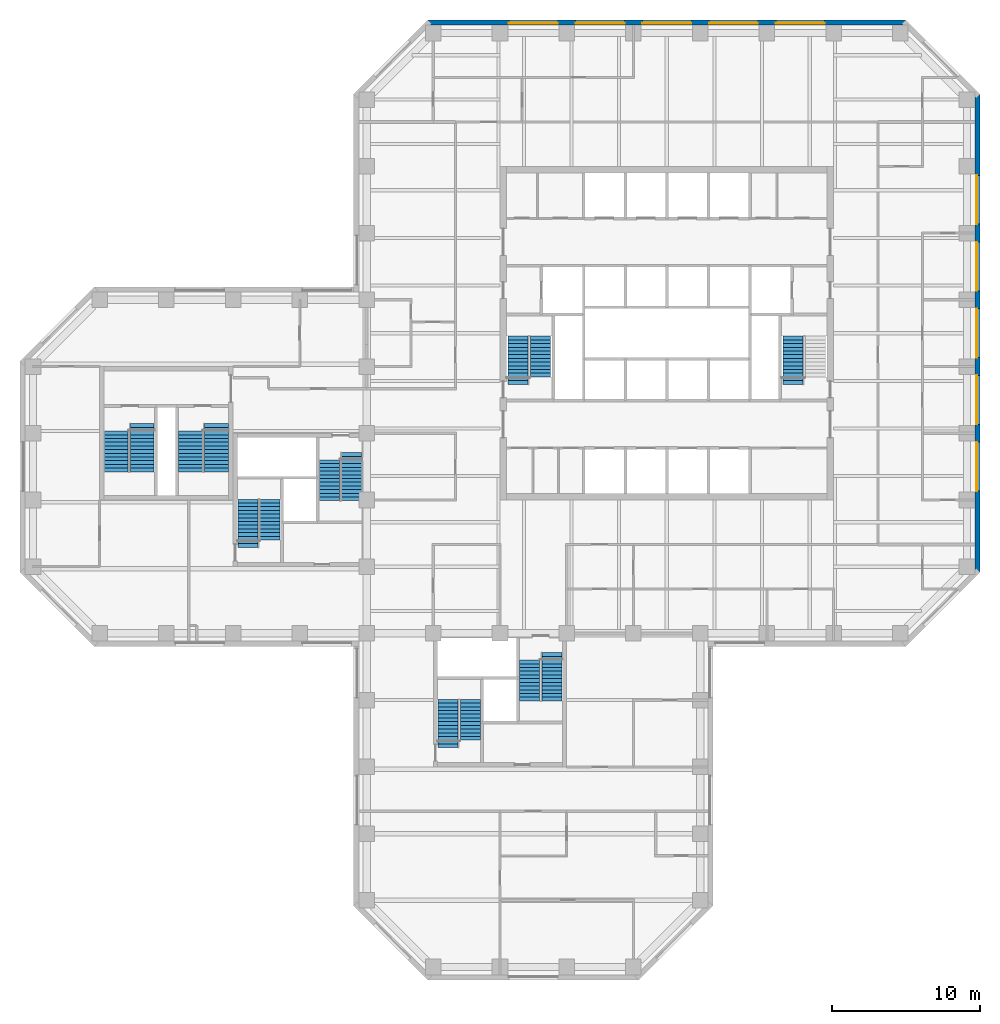
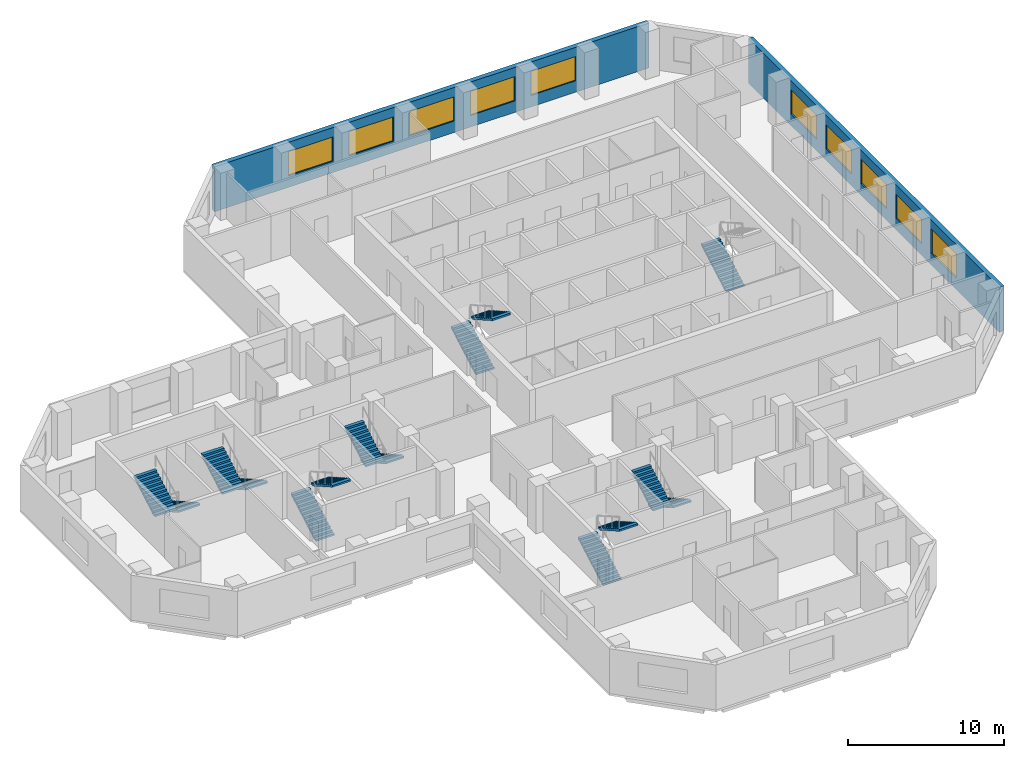
# One storey, part 9 of 11: 15 stair flights, 10 windows, 2 walls, 10 openings, 8 elements without a shape of their own.
"""IFC4 building model written with IfcOpenShell, lengths in metres."""

from ifc_helpers import new_model, si_unit, direction, frame, frame_2d, origin, place, context, subcontext, project, spatial, polyline, rectangle, outline, extrude, material, layer, layer_set, constituent, constituent_set, type_object, element, fill, aggregate, save


model = new_model("IFC4")

# Units and contexts
model_context = context("Model", 3, precision=1e-05, world=origin(), true_north=direction((0.0, 1.0)))
body_context = subcontext(model_context, "Body", "Model", "MODEL_VIEW")
ifc_project = project(units=[si_unit("LENGTHUNIT", "METRE"), si_unit("AREAUNIT", "SQUARE_METRE"), si_unit("VOLUMEUNIT", "CUBIC_METRE"), si_unit("PLANEANGLEUNIT", "RADIAN"), si_unit("MASSUNIT", "GRAM", prefix="KILO")], contexts=[model_context])

# Site, building, storey
site_placement = place(None, origin())
site = spatial("IfcSite", under=ifc_project, at=site_placement, CompositionType="ELEMENT")
building_placement = place(site_placement, origin())
building = spatial("IfcBuilding", under=site, at=building_placement, Name="Quoin Convention Tower", CompositionType="ELEMENT")
storey_placement = place(building_placement, frame((0.0, 0.0, 101.10009765625)))
storey = spatial("IfcBuildingStorey", under=building, at=storey_placement, Name="L26", CompositionType="ELEMENT", Elevation=101.10009765625)

# Wall, openings, windows
ifc_material_1 = material(Name="Brick masonry", Category="masonry")
ifc_layer = layer(ifc_material_1, 0.35009765625)
ifc_layer_set = layer_set([ifc_layer], Name="Brick masonry")
wall_type = type_object("IfcWallType", Name="Brick facade wall", PredefinedType="STANDARD", material=ifc_layer_set)
wall_1_placement = place(storey_placement, frame((77.199951171875, 44.6376953125, 0.0), z_axis=(0.0, 0.0, 1.0), x_axis=(0.0, 1.0, 0.0)))
wall_1 = element("IfcWall", 1, at=wall_1_placement, inside=storey, type_object=wall_type, Name="fw-L26-76500_45000", PredefinedType="STANDARD", context=body_context, shape_type="SweptSolid", body=[
    extrude(rectangle(XDim=32.224609375, YDim=0.35009765625, at=frame_2d((16.1123046875, 0.0))), origin(), (0.0, 0.0, 1.0), 3.52490234375),
])
opening_1_placement = place(wall_1_placement, frame((5.46240234375, 0.0, 0.89990234375)))
opening_1 = element("IfcOpeningElement", 2, at=opening_1_placement, cuts=wall_1, Name="Opening W-02", PredefinedType="OPENING", context=body_context, shape_type="SweptSolid", body=[
    extrude(rectangle(XDim=3.300048828125, YDim=1.89990234375, at=frame_2d((1.64990234375, 0.949951171875))), frame((0.0, 0.18505859375, 0.0), z_axis=(0.0, -1.0, 0.0), x_axis=(1.0, 0.0, 0.0)), (0.0, 0.0, 1.0), 0.3701171875),
])
opening_2_placement = place(wall_1_placement, frame((9.96240234375, 0.0, 0.89990234375)))
opening_2 = element("IfcOpeningElement", 3, at=opening_2_placement, cuts=wall_1, Name="Opening W-02", PredefinedType="OPENING", context=body_context, shape_type="SweptSolid", body=[
    extrude(rectangle(XDim=3.300048828125, YDim=1.89990234375, at=frame_2d((1.64990234375, 0.949951171875))), frame((0.0, 0.18505859375, 0.0), z_axis=(0.0, -1.0, 0.0), x_axis=(1.0, 0.0, 0.0)), (0.0, 0.0, 1.0), 0.3701171875),
])
opening_3_placement = place(wall_1_placement, frame((14.46240234375, 0.0, 0.89990234375)))
opening_3 = element("IfcOpeningElement", 4, at=opening_3_placement, cuts=wall_1, Name="Opening W-02", PredefinedType="OPENING", context=body_context, shape_type="SweptSolid", body=[
    extrude(rectangle(XDim=3.300048828125, YDim=1.89990234375, at=frame_2d((1.64990234375, 0.949951171875))), frame((0.0, 0.18505859375, 0.0), z_axis=(0.0, -1.0, 0.0), x_axis=(1.0, 0.0, 0.0)), (0.0, 0.0, 1.0), 0.3701171875),
])
opening_4_placement = place(wall_1_placement, frame((18.96240234375, 0.0, 0.89990234375)))
opening_4 = element("IfcOpeningElement", 5, at=opening_4_placement, cuts=wall_1, Name="Opening W-02", PredefinedType="OPENING", context=body_context, shape_type="SweptSolid", body=[
    extrude(rectangle(XDim=3.300048828125, YDim=1.89990234375, at=frame_2d((1.64990234375, 0.949951171875))), frame((0.0, 0.18505859375, 0.0), z_axis=(0.0, -1.0, 0.0), x_axis=(1.0, 0.0, 0.0)), (0.0, 0.0, 1.0), 0.3701171875),
])
opening_5_placement = place(wall_1_placement, frame((23.46240234375, 0.0, 0.89990234375)))
opening_5 = element("IfcOpeningElement", 6, at=opening_5_placement, cuts=wall_1, Name="Opening W-02", PredefinedType="OPENING", context=body_context, shape_type="SweptSolid", body=[
    extrude(rectangle(XDim=3.300048828125, YDim=1.89990234375, at=frame_2d((1.64990234375, 0.949951171875))), frame((0.0, 0.18505859375, 0.0), z_axis=(0.0, -1.0, 0.0), x_axis=(1.0, 0.0, 0.0)), (0.0, 0.0, 1.0), 0.3701171875),
])
ifc_material_2 = material(Name="Aluminium", Category="aluminium")
ifc_constituent_1 = constituent(ifc_material_2, Name="Frame")
ifc_material_3 = material(Name="Insulated glass", Category="glass")
ifc_constituent_2 = constituent(ifc_material_3, Name="Glazing")
ifc_constituent_set = constituent_set(constituents=[ifc_constituent_1, ifc_constituent_2], Name="Aluminium")
window_type = type_object("IfcWindowType", Name="Office window", PartitioningType="DOUBLE_PANEL_VERTICAL", PredefinedType="WINDOW", material=ifc_constituent_set)
window_1_placement = place(opening_1_placement, origin())
window_1 = element("IfcWindow", 7, at=window_1_placement, inside=storey, type_object=window_type, Name="win-L26-77200_51750", OverallHeight=1.89990234375, OverallWidth=3.300048828125, PartitioningType="SINGLE_PANEL", PredefinedType="WINDOW", context=body_context, shape_type="SweptSolid", body=[
    extrude(rectangle(XDim=3.300048828125, YDim=1.89990234375, at=frame_2d((1.64990234375, 0.949951171875))), frame((0.0, 0.0849609375, 0.0), z_axis=(0.0, -1.0, 0.0), x_axis=(1.0, 0.0, 0.0)), (0.0, 0.0, 1.0), 0.06005859375),
])
fill(opening_1, window_1)
window_2_placement = place(opening_2_placement, origin())
window_2 = element("IfcWindow", 8, at=window_2_placement, inside=storey, type_object=window_type, Name="win-L26-77200_56250", OverallHeight=1.89990234375, OverallWidth=3.300048828125, PartitioningType="SINGLE_PANEL", PredefinedType="WINDOW", context=body_context, shape_type="SweptSolid", body=[
    extrude(rectangle(XDim=3.300048828125, YDim=1.89990234375, at=frame_2d((1.64990234375, 0.949951171875))), frame((0.0, 0.0849609375, 0.0), z_axis=(0.0, -1.0, 0.0), x_axis=(1.0, 0.0, 0.0)), (0.0, 0.0, 1.0), 0.06005859375),
])
fill(opening_2, window_2)
window_3_placement = place(opening_3_placement, origin())
window_3 = element("IfcWindow", 9, at=window_3_placement, inside=storey, type_object=window_type, Name="win-L26-77200_60750", OverallHeight=1.89990234375, OverallWidth=3.300048828125, PartitioningType="SINGLE_PANEL", PredefinedType="WINDOW", context=body_context, shape_type="SweptSolid", body=[
    extrude(rectangle(XDim=3.300048828125, YDim=1.89990234375, at=frame_2d((1.64990234375, 0.949951171875))), frame((0.0, 0.0849609375, 0.0), z_axis=(0.0, -1.0, 0.0), x_axis=(1.0, 0.0, 0.0)), (0.0, 0.0, 1.0), 0.06005859375),
])
fill(opening_3, window_3)
window_4_placement = place(opening_4_placement, origin())
window_4 = element("IfcWindow", 10, at=window_4_placement, inside=storey, type_object=window_type, Name="win-L26-77200_65250", OverallHeight=1.89990234375, OverallWidth=3.300048828125, PartitioningType="SINGLE_PANEL", PredefinedType="WINDOW", context=body_context, shape_type="SweptSolid", body=[
    extrude(rectangle(XDim=3.300048828125, YDim=1.89990234375, at=frame_2d((1.64990234375, 0.949951171875))), frame((0.0, 0.0849609375, 0.0), z_axis=(0.0, -1.0, 0.0), x_axis=(1.0, 0.0, 0.0)), (0.0, 0.0, 1.0), 0.06005859375),
])
fill(opening_4, window_4)
window_5_placement = place(opening_5_placement, origin())
window_5 = element("IfcWindow", 11, at=window_5_placement, inside=storey, type_object=window_type, Name="win-L26-77200_69750", OverallHeight=1.89990234375, OverallWidth=3.300048828125, PartitioningType="SINGLE_PANEL", PredefinedType="WINDOW", context=body_context, shape_type="SweptSolid", body=[
    extrude(rectangle(XDim=3.300048828125, YDim=1.89990234375, at=frame_2d((1.64990234375, 0.949951171875))), frame((0.0, 0.0849609375, 0.0), z_axis=(0.0, -1.0, 0.0), x_axis=(1.0, 0.0, 0.0)), (0.0, 0.0, 1.0), 0.06005859375),
])
fill(opening_5, window_5)

wall_2_placement = place(storey_placement, frame((72.3623046875, 81.699951171875, 0.0), z_axis=(0.0, 0.0, 1.0), x_axis=(-1.0, 0.0, 0.0)))
wall_2 = element("IfcWall", 12, at=wall_2_placement, inside=storey, type_object=wall_type, Name="fw-L26-72000_81000", PredefinedType="STANDARD", context=body_context, shape_type="SweptSolid", body=[
    extrude(rectangle(XDim=32.224609375, YDim=0.35009765625, at=frame_2d((16.1123046875, 0.0))), origin(), (0.0, 0.0, 1.0), 3.52490234375),
])
opening_6_placement = place(wall_2_placement, frame((5.46240234375, 0.0, 0.89990234375)))
opening_6 = element("IfcOpeningElement", 13, at=opening_6_placement, cuts=wall_2, Name="Opening W-02", PredefinedType="OPENING", context=body_context, shape_type="SweptSolid", body=[
    extrude(rectangle(XDim=3.300048828125, YDim=1.89990234375, at=frame_2d((1.64990234375, 0.949951171875))), frame((0.0, 0.18505859375, 0.0), z_axis=(0.0, -1.0, 0.0), x_axis=(1.0, 0.0, 0.0)), (0.0, 0.0, 1.0), 0.3701171875),
])
opening_7_placement = place(wall_2_placement, frame((9.96240234375, 0.0, 0.89990234375)))
opening_7 = element("IfcOpeningElement", 14, at=opening_7_placement, cuts=wall_2, Name="Opening W-02", PredefinedType="OPENING", context=body_context, shape_type="SweptSolid", body=[
    extrude(rectangle(XDim=3.300048828125, YDim=1.89990234375, at=frame_2d((1.64990234375, 0.949951171875))), frame((0.0, 0.18505859375, 0.0), z_axis=(0.0, -1.0, 0.0), x_axis=(1.0, 0.0, 0.0)), (0.0, 0.0, 1.0), 0.3701171875),
])
opening_8_placement = place(wall_2_placement, frame((14.46240234375, 0.0, 0.89990234375)))
opening_8 = element("IfcOpeningElement", 15, at=opening_8_placement, cuts=wall_2, Name="Opening W-02", PredefinedType="OPENING", context=body_context, shape_type="SweptSolid", body=[
    extrude(rectangle(XDim=3.300048828125, YDim=1.89990234375, at=frame_2d((1.64990234375, 0.949951171875))), frame((0.0, 0.18505859375, 0.0), z_axis=(0.0, -1.0, 0.0), x_axis=(1.0, 0.0, 0.0)), (0.0, 0.0, 1.0), 0.3701171875),
])
opening_9_placement = place(wall_2_placement, frame((18.96240234375, 0.0, 0.89990234375)))
opening_9 = element("IfcOpeningElement", 16, at=opening_9_placement, cuts=wall_2, Name="Opening W-02", PredefinedType="OPENING", context=body_context, shape_type="SweptSolid", body=[
    extrude(rectangle(XDim=3.300048828125, YDim=1.89990234375, at=frame_2d((1.64990234375, 0.949951171875))), frame((0.0, 0.18505859375, 0.0), z_axis=(0.0, -1.0, 0.0), x_axis=(1.0, 0.0, 0.0)), (0.0, 0.0, 1.0), 0.3701171875),
])
opening_10_placement = place(wall_2_placement, frame((23.46240234375, 0.0, 0.89990234375)))
opening_10 = element("IfcOpeningElement", 17, at=opening_10_placement, cuts=wall_2, Name="Opening W-02", PredefinedType="OPENING", context=body_context, shape_type="SweptSolid", body=[
    extrude(rectangle(XDim=3.300048828125, YDim=1.89990234375, at=frame_2d((1.64990234375, 0.949951171875))), frame((0.0, 0.18505859375, 0.0), z_axis=(0.0, -1.0, 0.0), x_axis=(1.0, 0.0, 0.0)), (0.0, 0.0, 1.0), 0.3701171875),
])
window_6_placement = place(opening_6_placement, origin())
window_6 = element("IfcWindow", 18, at=window_6_placement, inside=storey, type_object=window_type, Name="win-L26-65250_81700", OverallHeight=1.89990234375, OverallWidth=3.300048828125, PartitioningType="SINGLE_PANEL", PredefinedType="WINDOW", context=body_context, shape_type="SweptSolid", body=[
    extrude(rectangle(XDim=3.300048828125, YDim=1.89990234375, at=frame_2d((1.64990234375, 0.949951171875))), frame((0.0, 0.0849609375, 0.0), z_axis=(0.0, -1.0, 0.0), x_axis=(1.0, 0.0, 0.0)), (0.0, 0.0, 1.0), 0.06005859375),
])
fill(opening_6, window_6)
window_7_placement = place(opening_7_placement, origin())
window_7 = element("IfcWindow", 19, at=window_7_placement, inside=storey, type_object=window_type, Name="win-L26-60750_81700", OverallHeight=1.89990234375, OverallWidth=3.300048828125, PartitioningType="SINGLE_PANEL", PredefinedType="WINDOW", context=body_context, shape_type="SweptSolid", body=[
    extrude(rectangle(XDim=3.300048828125, YDim=1.89990234375, at=frame_2d((1.64990234375, 0.949951171875))), frame((0.0, 0.0849609375, 0.0), z_axis=(0.0, -1.0, 0.0), x_axis=(1.0, 0.0, 0.0)), (0.0, 0.0, 1.0), 0.06005859375),
])
fill(opening_7, window_7)
window_8_placement = place(opening_8_placement, origin())
window_8 = element("IfcWindow", 20, at=window_8_placement, inside=storey, type_object=window_type, Name="win-L26-56250_81700", OverallHeight=1.89990234375, OverallWidth=3.300048828125, PartitioningType="SINGLE_PANEL", PredefinedType="WINDOW", context=body_context, shape_type="SweptSolid", body=[
    extrude(rectangle(XDim=3.300048828125, YDim=1.89990234375, at=frame_2d((1.64990234375, 0.949951171875))), frame((0.0, 0.0849609375, 0.0), z_axis=(0.0, -1.0, 0.0), x_axis=(1.0, 0.0, 0.0)), (0.0, 0.0, 1.0), 0.06005859375),
])
fill(opening_8, window_8)
window_9_placement = place(opening_9_placement, origin())
window_9 = element("IfcWindow", 21, at=window_9_placement, inside=storey, type_object=window_type, Name="win-L26-51750_81700", OverallHeight=1.89990234375, OverallWidth=3.300048828125, PartitioningType="SINGLE_PANEL", PredefinedType="WINDOW", context=body_context, shape_type="SweptSolid", body=[
    extrude(rectangle(XDim=3.300048828125, YDim=1.89990234375, at=frame_2d((1.64990234375, 0.949951171875))), frame((0.0, 0.0849609375, 0.0), z_axis=(0.0, -1.0, 0.0), x_axis=(1.0, 0.0, 0.0)), (0.0, 0.0, 1.0), 0.06005859375),
])
fill(opening_9, window_9)
window_10_placement = place(opening_10_placement, origin())
window_10 = element("IfcWindow", 22, at=window_10_placement, inside=storey, type_object=window_type, Name="win-L26-47250_81700", OverallHeight=1.89990234375, OverallWidth=3.300048828125, PartitioningType="SINGLE_PANEL", PredefinedType="WINDOW", context=body_context, shape_type="SweptSolid", body=[
    extrude(rectangle(XDim=3.300048828125, YDim=1.89990234375, at=frame_2d((1.64990234375, 0.949951171875))), frame((0.0, 0.0849609375, 0.0), z_axis=(0.0, -1.0, 0.0), x_axis=(1.0, 0.0, 0.0)), (0.0, 0.0, 1.0), 0.06005859375),
])
fill(opening_10, window_10)

# Stair, stair flights
ifc_material_4 = material(Name="Concrete C40", Category="concrete")
stair_type_1 = type_object("IfcStairType", Name="Exit stair two-flight 1350", PredefinedType="HALF_TURN_STAIR", material=ifc_material_4)
stair_1_placement = place(storey_placement, origin())
stair_1 = element("IfcStair", 23, at=stair_1_placement, inside=storey, type_object=stair_type_1, Name="SD1 L26", PredefinedType="HALF_TURN_STAIR")
stair_flight_type_1 = type_object("IfcStairFlightType", Name="Stair flight 1350", PredefinedType="STRAIGHT", material=ifc_material_4)
stair_flight_1_placement = place(storey_placement, frame((46.22509765625, 57.300048828125, 0.0), z_axis=(0.0, 0.0, 1.0), x_axis=(0.0, 1.0, 0.0)))
stair_flight_1 = element("IfcStairFlight", 24, at=stair_flight_1_placement, type_object=stair_flight_type_1, Name="ST1 flight 1", NumberOfRisers=14, NumberOfTreads=13, PredefinedType="STRAIGHT", RiserHeight=0.142307692, TreadLength=0.25, context=body_context, shape_type="SweptSolid", body=[
    extrude(outline(polyline([(0.0, 0.0), (0.0, 0.142333984375), (0.25, 0.142333984375), (0.25, 0.28466796875), (0.5, 0.28466796875), (0.5, 0.427001953125), (0.75, 0.427001953125), (0.75, 0.5693359375), (1.0, 0.5693359375), (1.0, 0.71142578125), (1.25, 0.71142578125), (1.25, 0.853759765625), (1.5, 0.853759765625), (1.5, 0.99609375), (1.75, 0.99609375), (1.75, 1.138427734375), (2.0, 1.138427734375), (2.0, 1.28076171875), (2.25, 1.28076171875), (2.25, 1.423095703125), (2.5, 1.423095703125), (2.5, 1.5654296875), (2.75, 1.5654296875), (2.75, 1.707763671875), (3.0, 1.707763671875), (3.0, 1.85009765625), (3.25, 1.85009765625), (3.25, 1.9921875), (3.25, 1.711669921875), (0.242919921875, 0.0), (0.0, 0.0)])), frame((0.0, 0.675048828125, 0.0), z_axis=(0.0, -1.0, 0.0), x_axis=(1.0, 0.0, 0.0)), (0.0, 0.0, 1.0), 1.35009765625),
])
stair_flight_2_placement = place(storey_placement, frame((47.72509765625, 60.550048828125, 1.9921875), z_axis=(0.0, 0.0, 1.0), x_axis=(0.0, -1.0, 0.0)))
stair_flight_2 = element("IfcStairFlight", 25, at=stair_flight_2_placement, type_object=stair_flight_type_1, Name="ST1 flight 2", NumberOfRisers=12, NumberOfTreads=11, PredefinedType="STRAIGHT", RiserHeight=0.142307692, TreadLength=0.25, context=body_context, shape_type="SweptSolid", body=[
    extrude(outline(polyline([(0.0, 0.0), (0.0, 0.142333984375), (0.25, 0.142333984375), (0.25, 0.28466796875), (0.5, 0.28466796875), (0.5, 0.427001953125), (0.75, 0.427001953125), (0.75, 0.5693359375), (1.0, 0.5693359375), (1.0, 0.71142578125), (1.25, 0.71142578125), (1.25, 0.853759765625), (1.5, 0.853759765625), (1.5, 0.99609375), (1.75, 0.99609375), (1.75, 1.138427734375), (2.0, 1.138427734375), (2.0, 1.28076171875), (2.25, 1.28076171875), (2.25, 1.423095703125), (2.5, 1.423095703125), (2.5, 1.5654296875), (2.75, 1.5654296875), (2.75, 1.707763671875), (2.75, 1.42724609375), (0.242919921875, 0.0), (0.0, 0.0)])), frame((0.0, 0.675048828125, 0.0), z_axis=(0.0, -1.0, 0.0), x_axis=(1.0, 0.0, 0.0)), (0.0, 0.0, 1.0), 1.35009765625),
])
aggregate(stair_1, [stair_flight_1, stair_flight_2])

# Stair, stair flight
stair_2_placement = place(storey_placement, origin())
stair_2 = element("IfcStair", 26, at=stair_2_placement, inside=storey, type_object=stair_type_1, Name="SD2 L26", PredefinedType="HALF_TURN_STAIR")
stair_flight_3_placement = place(storey_placement, frame((64.77490234375, 57.300048828125, 0.0), z_axis=(0.0, 0.0, 1.0), x_axis=(0.0, 1.0, 0.0)))
stair_flight_3 = element("IfcStairFlight", 27, at=stair_flight_3_placement, type_object=stair_flight_type_1, Name="ST2 flight 1", NumberOfRisers=14, NumberOfTreads=13, PredefinedType="STRAIGHT", RiserHeight=0.142307692, TreadLength=0.25, context=body_context, shape_type="SweptSolid", body=[
    extrude(outline(polyline([(0.0, 0.0), (0.0, 0.142333984375), (0.25, 0.142333984375), (0.25, 0.28466796875), (0.5, 0.28466796875), (0.5, 0.427001953125), (0.75, 0.427001953125), (0.75, 0.5693359375), (1.0, 0.5693359375), (1.0, 0.71142578125), (1.25, 0.71142578125), (1.25, 0.853759765625), (1.5, 0.853759765625), (1.5, 0.99609375), (1.75, 0.99609375), (1.75, 1.138427734375), (2.0, 1.138427734375), (2.0, 1.28076171875), (2.25, 1.28076171875), (2.25, 1.423095703125), (2.5, 1.423095703125), (2.5, 1.5654296875), (2.75, 1.5654296875), (2.75, 1.707763671875), (3.0, 1.707763671875), (3.0, 1.85009765625), (3.25, 1.85009765625), (3.25, 1.9921875), (3.25, 1.711669921875), (0.242919921875, 0.0), (0.0, 0.0)])), frame((0.0, 0.675048828125, 0.0), z_axis=(0.0, -1.0, 0.0), x_axis=(1.0, 0.0, 0.0)), (0.0, 0.0, 1.0), 1.35009765625),
])
aggregate(stair_2, [stair_flight_3])

# Stair, stair flights
stair_3_placement = place(storey_placement, origin())
stair_3 = element("IfcStair", 28, at=stair_3_placement, inside=storey, type_object=stair_type_1, Name="SD3 L26", PredefinedType="HALF_TURN_STAIR")
stair_flight_4_placement = place(storey_placement, frame((28.0, 46.300048828125, 0.0), z_axis=(0.0, 0.0, 1.0), x_axis=(0.0, 1.0, 0.0)))
stair_flight_4 = element("IfcStairFlight", 29, at=stair_flight_4_placement, type_object=stair_flight_type_1, Name="ST3 flight 1", NumberOfRisers=14, NumberOfTreads=13, PredefinedType="STRAIGHT", RiserHeight=0.142307692, TreadLength=0.25, context=body_context, shape_type="SweptSolid", body=[
    extrude(outline(polyline([(0.0, 0.0), (0.0, 0.142333984375), (0.25, 0.142333984375), (0.25, 0.28466796875), (0.5, 0.28466796875), (0.5, 0.427001953125), (0.75, 0.427001953125), (0.75, 0.5693359375), (1.0, 0.5693359375), (1.0, 0.71142578125), (1.25, 0.71142578125), (1.25, 0.853759765625), (1.5, 0.853759765625), (1.5, 0.99609375), (1.75, 0.99609375), (1.75, 1.138427734375), (2.0, 1.138427734375), (2.0, 1.28076171875), (2.25, 1.28076171875), (2.25, 1.423095703125), (2.5, 1.423095703125), (2.5, 1.5654296875), (2.75, 1.5654296875), (2.75, 1.707763671875), (3.0, 1.707763671875), (3.0, 1.85009765625), (3.25, 1.85009765625), (3.25, 1.9921875), (3.25, 1.711669921875), (0.242919921875, 0.0), (0.0, 0.0)])), frame((0.0, 0.675048828125, 0.0), z_axis=(0.0, -1.0, 0.0), x_axis=(1.0, 0.0, 0.0)), (0.0, 0.0, 1.0), 1.35009765625),
])
stair_flight_5_placement = place(storey_placement, frame((29.5, 49.550048828125, 1.9921875), z_axis=(0.0, 0.0, 1.0), x_axis=(0.0, -1.0, 0.0)))
stair_flight_5 = element("IfcStairFlight", 30, at=stair_flight_5_placement, type_object=stair_flight_type_1, Name="ST3 flight 2", NumberOfRisers=12, NumberOfTreads=11, PredefinedType="STRAIGHT", RiserHeight=0.142307692, TreadLength=0.25, context=body_context, shape_type="SweptSolid", body=[
    extrude(outline(polyline([(0.0, 0.0), (0.0, 0.142333984375), (0.25, 0.142333984375), (0.25, 0.28466796875), (0.5, 0.28466796875), (0.5, 0.427001953125), (0.75, 0.427001953125), (0.75, 0.5693359375), (1.0, 0.5693359375), (1.0, 0.71142578125), (1.25, 0.71142578125), (1.25, 0.853759765625), (1.5, 0.853759765625), (1.5, 0.99609375), (1.75, 0.99609375), (1.75, 1.138427734375), (2.0, 1.138427734375), (2.0, 1.28076171875), (2.25, 1.28076171875), (2.25, 1.423095703125), (2.5, 1.423095703125), (2.5, 1.5654296875), (2.75, 1.5654296875), (2.75, 1.707763671875), (2.75, 1.42724609375), (0.242919921875, 0.0), (0.0, 0.0)])), frame((0.0, 0.675048828125, 0.0), z_axis=(0.0, -1.0, 0.0), x_axis=(1.0, 0.0, 0.0)), (0.0, 0.0, 1.0), 1.35009765625),
])
aggregate(stair_3, [stair_flight_4, stair_flight_5])

stair_4_placement = place(storey_placement, origin())
stair_4 = element("IfcStair", 31, at=stair_4_placement, inside=storey, type_object=stair_type_1, Name="SD4 L26", PredefinedType="HALF_TURN_STAIR")
stair_flight_6_placement = place(storey_placement, frame((35.0, 52.699951171875, 0.0), z_axis=(0.0, 0.0, 1.0), x_axis=(0.0, -1.0, 0.0)))
stair_flight_6 = element("IfcStairFlight", 32, at=stair_flight_6_placement, type_object=stair_flight_type_1, Name="ST4 flight 1", NumberOfRisers=14, NumberOfTreads=13, PredefinedType="STRAIGHT", RiserHeight=0.142307692, TreadLength=0.25, context=body_context, shape_type="SweptSolid", body=[
    extrude(outline(polyline([(0.0, 0.0), (0.0, 0.142333984375), (0.25, 0.142333984375), (0.25, 0.28466796875), (0.5, 0.28466796875), (0.5, 0.427001953125), (0.75, 0.427001953125), (0.75, 0.5693359375), (1.0, 0.5693359375), (1.0, 0.71142578125), (1.25, 0.71142578125), (1.25, 0.853759765625), (1.5, 0.853759765625), (1.5, 0.99609375), (1.75, 0.99609375), (1.75, 1.138427734375), (2.0, 1.138427734375), (2.0, 1.28076171875), (2.25, 1.28076171875), (2.25, 1.423095703125), (2.5, 1.423095703125), (2.5, 1.5654296875), (2.75, 1.5654296875), (2.75, 1.707763671875), (3.0, 1.707763671875), (3.0, 1.85009765625), (3.25, 1.85009765625), (3.25, 1.9921875), (3.25, 1.711669921875), (0.242919921875, 0.0), (0.0, 0.0)])), frame((0.0, 0.675048828125, 0.0), z_axis=(0.0, -1.0, 0.0), x_axis=(1.0, 0.0, 0.0)), (0.0, 0.0, 1.0), 1.35009765625),
])
stair_flight_7_placement = place(storey_placement, frame((33.5, 49.449951171875, 1.9921875), z_axis=(0.0, 0.0, 1.0), x_axis=(0.0, 1.0, 0.0)))
stair_flight_7 = element("IfcStairFlight", 33, at=stair_flight_7_placement, type_object=stair_flight_type_1, Name="ST4 flight 2", NumberOfRisers=12, NumberOfTreads=11, PredefinedType="STRAIGHT", RiserHeight=0.142307692, TreadLength=0.25, context=body_context, shape_type="SweptSolid", body=[
    extrude(outline(polyline([(0.0, 0.0), (0.0, 0.142333984375), (0.25, 0.142333984375), (0.25, 0.28466796875), (0.5, 0.28466796875), (0.5, 0.427001953125), (0.75, 0.427001953125), (0.75, 0.5693359375), (1.0, 0.5693359375), (1.0, 0.71142578125), (1.25, 0.71142578125), (1.25, 0.853759765625), (1.5, 0.853759765625), (1.5, 0.99609375), (1.75, 0.99609375), (1.75, 1.138427734375), (2.0, 1.138427734375), (2.0, 1.28076171875), (2.25, 1.28076171875), (2.25, 1.423095703125), (2.5, 1.423095703125), (2.5, 1.5654296875), (2.75, 1.5654296875), (2.75, 1.707763671875), (2.75, 1.42724609375), (0.242919921875, 0.0), (0.0, 0.0)])), frame((0.0, 0.675048828125, 0.0), z_axis=(0.0, -1.0, 0.0), x_axis=(1.0, 0.0, 0.0)), (0.0, 0.0, 1.0), 1.35009765625),
])
aggregate(stair_4, [stair_flight_6, stair_flight_7])

stair_5_placement = place(storey_placement, origin())
stair_5 = element("IfcStair", 34, at=stair_5_placement, inside=storey, type_object=stair_type_1, Name="SD5 L26", PredefinedType="HALF_TURN_STAIR")
stair_flight_8_placement = place(storey_placement, frame((41.5, 32.800048828125, 0.0), z_axis=(0.0, 0.0, 1.0), x_axis=(0.0, 1.0, 0.0)))
stair_flight_8 = element("IfcStairFlight", 35, at=stair_flight_8_placement, type_object=stair_flight_type_1, Name="ST5 flight 1", NumberOfRisers=14, NumberOfTreads=13, PredefinedType="STRAIGHT", RiserHeight=0.142307692, TreadLength=0.25, context=body_context, shape_type="SweptSolid", body=[
    extrude(outline(polyline([(0.0, 0.0), (0.0, 0.142333984375), (0.25, 0.142333984375), (0.25, 0.28466796875), (0.5, 0.28466796875), (0.5, 0.427001953125), (0.75, 0.427001953125), (0.75, 0.5693359375), (1.0, 0.5693359375), (1.0, 0.71142578125), (1.25, 0.71142578125), (1.25, 0.853759765625), (1.5, 0.853759765625), (1.5, 0.99609375), (1.75, 0.99609375), (1.75, 1.138427734375), (2.0, 1.138427734375), (2.0, 1.28076171875), (2.25, 1.28076171875), (2.25, 1.423095703125), (2.5, 1.423095703125), (2.5, 1.5654296875), (2.75, 1.5654296875), (2.75, 1.707763671875), (3.0, 1.707763671875), (3.0, 1.85009765625), (3.25, 1.85009765625), (3.25, 1.9921875), (3.25, 1.711669921875), (0.242919921875, 0.0), (0.0, 0.0)])), frame((0.0, 0.675048828125, 0.0), z_axis=(0.0, -1.0, 0.0), x_axis=(1.0, 0.0, 0.0)), (0.0, 0.0, 1.0), 1.35009765625),
])
stair_flight_9_placement = place(storey_placement, frame((43.0, 36.050048828125, 1.9921875), z_axis=(0.0, 0.0, 1.0), x_axis=(0.0, -1.0, 0.0)))
stair_flight_9 = element("IfcStairFlight", 36, at=stair_flight_9_placement, type_object=stair_flight_type_1, Name="ST5 flight 2", NumberOfRisers=12, NumberOfTreads=11, PredefinedType="STRAIGHT", RiserHeight=0.142307692, TreadLength=0.25, context=body_context, shape_type="SweptSolid", body=[
    extrude(outline(polyline([(0.0, 0.0), (0.0, 0.142333984375), (0.25, 0.142333984375), (0.25, 0.28466796875), (0.5, 0.28466796875), (0.5, 0.427001953125), (0.75, 0.427001953125), (0.75, 0.5693359375), (1.0, 0.5693359375), (1.0, 0.71142578125), (1.25, 0.71142578125), (1.25, 0.853759765625), (1.5, 0.853759765625), (1.5, 0.99609375), (1.75, 0.99609375), (1.75, 1.138427734375), (2.0, 1.138427734375), (2.0, 1.28076171875), (2.25, 1.28076171875), (2.25, 1.423095703125), (2.5, 1.423095703125), (2.5, 1.5654296875), (2.75, 1.5654296875), (2.75, 1.707763671875), (2.75, 1.42724609375), (0.242919921875, 0.0), (0.0, 0.0)])), frame((0.0, 0.675048828125, 0.0), z_axis=(0.0, -1.0, 0.0), x_axis=(1.0, 0.0, 0.0)), (0.0, 0.0, 1.0), 1.35009765625),
])
aggregate(stair_5, [stair_flight_8, stair_flight_9])

stair_6_placement = place(storey_placement, origin())
stair_6 = element("IfcStair", 37, at=stair_6_placement, inside=storey, type_object=stair_type_1, Name="SD6 L26", PredefinedType="HALF_TURN_STAIR")
stair_flight_10_placement = place(storey_placement, frame((48.5, 39.199951171875, 0.0), z_axis=(0.0, 0.0, 1.0), x_axis=(0.0, -1.0, 0.0)))
stair_flight_10 = element("IfcStairFlight", 38, at=stair_flight_10_placement, type_object=stair_flight_type_1, Name="ST6 flight 1", NumberOfRisers=14, NumberOfTreads=13, PredefinedType="STRAIGHT", RiserHeight=0.142307692, TreadLength=0.25, context=body_context, shape_type="SweptSolid", body=[
    extrude(outline(polyline([(0.0, 0.0), (0.0, 0.142333984375), (0.25, 0.142333984375), (0.25, 0.28466796875), (0.5, 0.28466796875), (0.5, 0.427001953125), (0.75, 0.427001953125), (0.75, 0.5693359375), (1.0, 0.5693359375), (1.0, 0.71142578125), (1.25, 0.71142578125), (1.25, 0.853759765625), (1.5, 0.853759765625), (1.5, 0.99609375), (1.75, 0.99609375), (1.75, 1.138427734375), (2.0, 1.138427734375), (2.0, 1.28076171875), (2.25, 1.28076171875), (2.25, 1.423095703125), (2.5, 1.423095703125), (2.5, 1.5654296875), (2.75, 1.5654296875), (2.75, 1.707763671875), (3.0, 1.707763671875), (3.0, 1.85009765625), (3.25, 1.85009765625), (3.25, 1.9921875), (3.25, 1.711669921875), (0.242919921875, 0.0), (0.0, 0.0)])), frame((0.0, 0.675048828125, 0.0), z_axis=(0.0, -1.0, 0.0), x_axis=(1.0, 0.0, 0.0)), (0.0, 0.0, 1.0), 1.35009765625),
])
stair_flight_11_placement = place(storey_placement, frame((47.0, 35.949951171875, 1.9921875), z_axis=(0.0, 0.0, 1.0), x_axis=(0.0, 1.0, 0.0)))
stair_flight_11 = element("IfcStairFlight", 39, at=stair_flight_11_placement, type_object=stair_flight_type_1, Name="ST6 flight 2", NumberOfRisers=12, NumberOfTreads=11, PredefinedType="STRAIGHT", RiserHeight=0.142307692, TreadLength=0.25, context=body_context, shape_type="SweptSolid", body=[
    extrude(outline(polyline([(0.0, 0.0), (0.0, 0.142333984375), (0.25, 0.142333984375), (0.25, 0.28466796875), (0.5, 0.28466796875), (0.5, 0.427001953125), (0.75, 0.427001953125), (0.75, 0.5693359375), (1.0, 0.5693359375), (1.0, 0.71142578125), (1.25, 0.71142578125), (1.25, 0.853759765625), (1.5, 0.853759765625), (1.5, 0.99609375), (1.75, 0.99609375), (1.75, 1.138427734375), (2.0, 1.138427734375), (2.0, 1.28076171875), (2.25, 1.28076171875), (2.25, 1.423095703125), (2.5, 1.423095703125), (2.5, 1.5654296875), (2.75, 1.5654296875), (2.75, 1.707763671875), (2.75, 1.42724609375), (0.242919921875, 0.0), (0.0, 0.0)])), frame((0.0, 0.675048828125, 0.0), z_axis=(0.0, -1.0, 0.0), x_axis=(1.0, 0.0, 0.0)), (0.0, 0.0, 1.0), 1.35009765625),
])
aggregate(stair_6, [stair_flight_10, stair_flight_11])

stair_type_2 = type_object("IfcStairType", Name="Exit stair two-flight 1600", PredefinedType="HALF_TURN_STAIR", material=ifc_material_4)
stair_7_placement = place(storey_placement, origin())
stair_7 = element("IfcStair", 40, at=stair_7_placement, inside=storey, type_object=stair_type_2, Name="SD11 L26", PredefinedType="HALF_TURN_STAIR")
stair_flight_type_2 = type_object("IfcStairFlightType", Name="Stair flight 1600", PredefinedType="STRAIGHT", material=ifc_material_4)
stair_flight_12_placement = place(storey_placement, frame((20.875, 54.64990234375, 0.0), z_axis=(0.0, 0.0, 1.0), x_axis=(0.0, -1.0, 0.0)))
stair_flight_12 = element("IfcStairFlight", 41, at=stair_flight_12_placement, type_object=stair_flight_type_2, Name="ST11 flight 1", NumberOfRisers=14, NumberOfTreads=13, PredefinedType="STRAIGHT", RiserHeight=0.142307692, TreadLength=0.25, context=body_context, shape_type="SweptSolid", body=[
    extrude(outline(polyline([(0.0, 0.0), (0.0, 0.142333984375), (0.25, 0.142333984375), (0.25, 0.28466796875), (0.5, 0.28466796875), (0.5, 0.427001953125), (0.75, 0.427001953125), (0.75, 0.5693359375), (1.0, 0.5693359375), (1.0, 0.71142578125), (1.25, 0.71142578125), (1.25, 0.853759765625), (1.5, 0.853759765625), (1.5, 0.99609375), (1.75, 0.99609375), (1.75, 1.138427734375), (2.0, 1.138427734375), (2.0, 1.28076171875), (2.25, 1.28076171875), (2.25, 1.423095703125), (2.5, 1.423095703125), (2.5, 1.5654296875), (2.75, 1.5654296875), (2.75, 1.707763671875), (3.0, 1.707763671875), (3.0, 1.85009765625), (3.25, 1.85009765625), (3.25, 1.9921875), (3.25, 1.711669921875), (0.242919921875, 0.0), (0.0, 0.0)])), frame((0.0, 0.800048828125, 0.0), z_axis=(0.0, -1.0, 0.0), x_axis=(1.0, 0.0, 0.0)), (0.0, 0.0, 1.0), 1.60009765625),
])
stair_flight_13_placement = place(storey_placement, frame((19.125, 51.39990234375, 1.9921875), z_axis=(0.0, 0.0, 1.0), x_axis=(0.0, 1.0, 0.0)))
stair_flight_13 = element("IfcStairFlight", 42, at=stair_flight_13_placement, type_object=stair_flight_type_2, Name="ST11 flight 2", NumberOfRisers=12, NumberOfTreads=11, PredefinedType="STRAIGHT", RiserHeight=0.142307692, TreadLength=0.25, context=body_context, shape_type="SweptSolid", body=[
    extrude(outline(polyline([(0.0, 0.0), (0.0, 0.142333984375), (0.25, 0.142333984375), (0.25, 0.28466796875), (0.5, 0.28466796875), (0.5, 0.427001953125), (0.75, 0.427001953125), (0.75, 0.5693359375), (1.0, 0.5693359375), (1.0, 0.71142578125), (1.25, 0.71142578125), (1.25, 0.853759765625), (1.5, 0.853759765625), (1.5, 0.99609375), (1.75, 0.99609375), (1.75, 1.138427734375), (2.0, 1.138427734375), (2.0, 1.28076171875), (2.25, 1.28076171875), (2.25, 1.423095703125), (2.5, 1.423095703125), (2.5, 1.5654296875), (2.75, 1.5654296875), (2.75, 1.707763671875), (2.75, 1.42724609375), (0.242919921875, 0.0), (0.0, 0.0)])), frame((0.0, 0.800048828125, 0.0), z_axis=(0.0, -1.0, 0.0), x_axis=(1.0, 0.0, 0.0)), (0.0, 0.0, 1.0), 1.60009765625),
])
aggregate(stair_7, [stair_flight_12, stair_flight_13])

stair_8_placement = place(storey_placement, origin())
stair_8 = element("IfcStair", 43, at=stair_8_placement, inside=storey, type_object=stair_type_2, Name="SD12 L26", PredefinedType="HALF_TURN_STAIR")
stair_flight_14_placement = place(storey_placement, frame((25.875, 54.64990234375, 0.0), z_axis=(0.0, 0.0, 1.0), x_axis=(0.0, -1.0, 0.0)))
stair_flight_14 = element("IfcStairFlight", 44, at=stair_flight_14_placement, type_object=stair_flight_type_2, Name="ST12 flight 1", NumberOfRisers=14, NumberOfTreads=13, PredefinedType="STRAIGHT", RiserHeight=0.142307692, TreadLength=0.25, context=body_context, shape_type="SweptSolid", body=[
    extrude(outline(polyline([(0.0, 0.0), (0.0, 0.142333984375), (0.25, 0.142333984375), (0.25, 0.28466796875), (0.5, 0.28466796875), (0.5, 0.427001953125), (0.75, 0.427001953125), (0.75, 0.5693359375), (1.0, 0.5693359375), (1.0, 0.71142578125), (1.25, 0.71142578125), (1.25, 0.853759765625), (1.5, 0.853759765625), (1.5, 0.99609375), (1.75, 0.99609375), (1.75, 1.138427734375), (2.0, 1.138427734375), (2.0, 1.28076171875), (2.25, 1.28076171875), (2.25, 1.423095703125), (2.5, 1.423095703125), (2.5, 1.5654296875), (2.75, 1.5654296875), (2.75, 1.707763671875), (3.0, 1.707763671875), (3.0, 1.85009765625), (3.25, 1.85009765625), (3.25, 1.9921875), (3.25, 1.711669921875), (0.242919921875, 0.0), (0.0, 0.0)])), frame((0.0, 0.800048828125, 0.0), z_axis=(0.0, -1.0, 0.0), x_axis=(1.0, 0.0, 0.0)), (0.0, 0.0, 1.0), 1.60009765625),
])
stair_flight_15_placement = place(storey_placement, frame((24.125, 51.39990234375, 1.9921875), z_axis=(0.0, 0.0, 1.0), x_axis=(0.0, 1.0, 0.0)))
stair_flight_15 = element("IfcStairFlight", 45, at=stair_flight_15_placement, type_object=stair_flight_type_2, Name="ST12 flight 2", NumberOfRisers=12, NumberOfTreads=11, PredefinedType="STRAIGHT", RiserHeight=0.142307692, TreadLength=0.25, context=body_context, shape_type="SweptSolid", body=[
    extrude(outline(polyline([(0.0, 0.0), (0.0, 0.142333984375), (0.25, 0.142333984375), (0.25, 0.28466796875), (0.5, 0.28466796875), (0.5, 0.427001953125), (0.75, 0.427001953125), (0.75, 0.5693359375), (1.0, 0.5693359375), (1.0, 0.71142578125), (1.25, 0.71142578125), (1.25, 0.853759765625), (1.5, 0.853759765625), (1.5, 0.99609375), (1.75, 0.99609375), (1.75, 1.138427734375), (2.0, 1.138427734375), (2.0, 1.28076171875), (2.25, 1.28076171875), (2.25, 1.423095703125), (2.5, 1.423095703125), (2.5, 1.5654296875), (2.75, 1.5654296875), (2.75, 1.707763671875), (2.75, 1.42724609375), (0.242919921875, 0.0), (0.0, 0.0)])), frame((0.0, 0.800048828125, 0.0), z_axis=(0.0, -1.0, 0.0), x_axis=(1.0, 0.0, 0.0)), (0.0, 0.0, 1.0), 1.60009765625),
])
aggregate(stair_8, [stair_flight_14, stair_flight_15])

save(model, "model.ifc")
